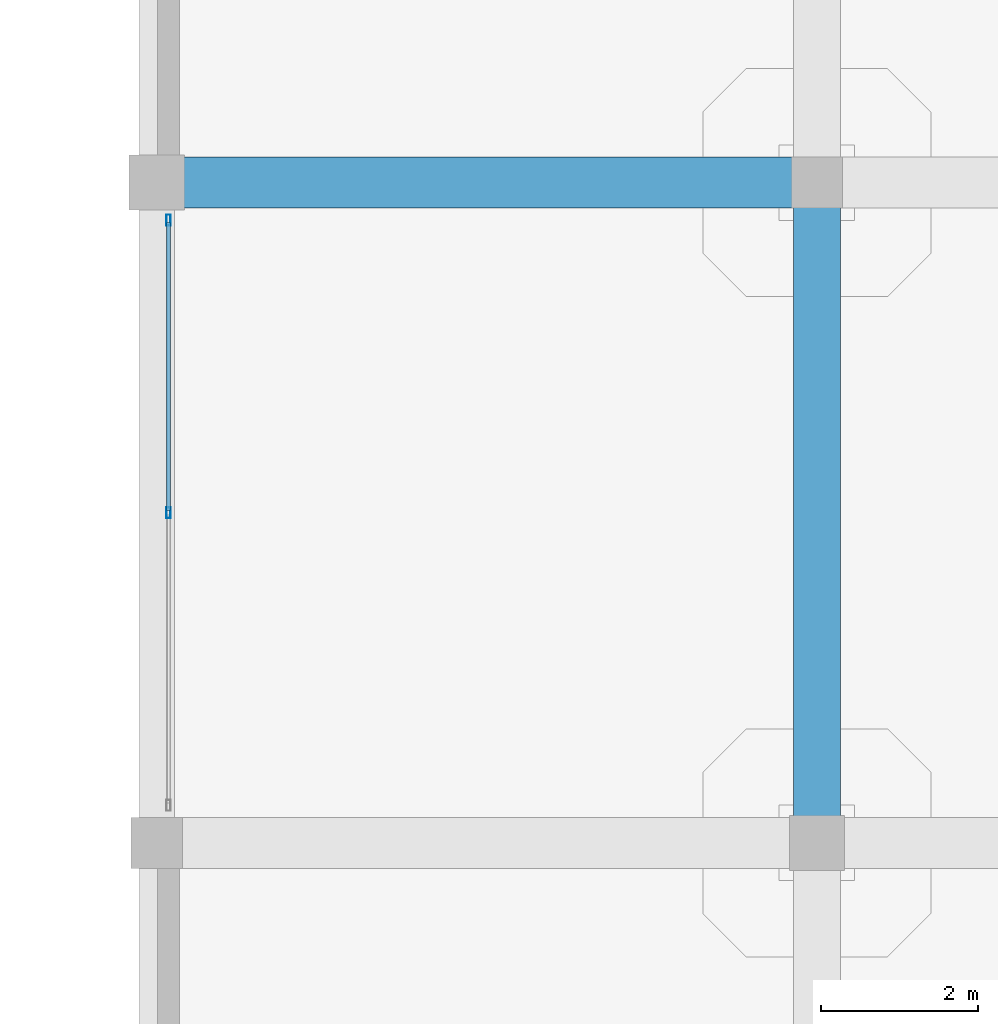
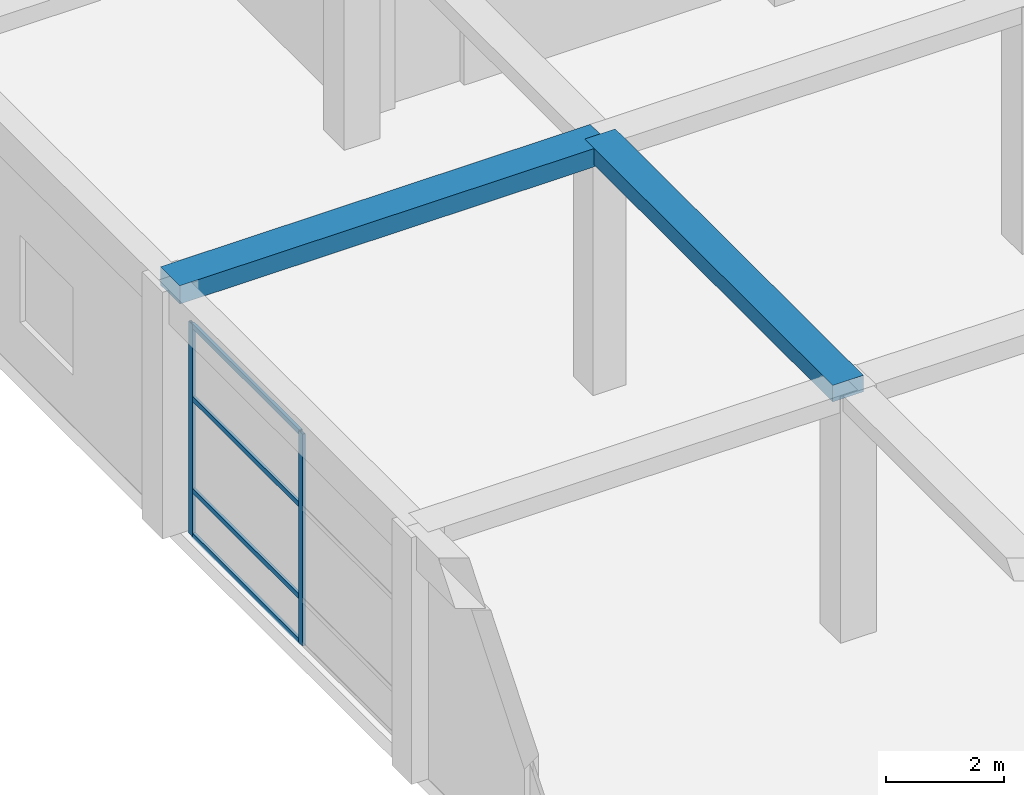
# One storey, part 8 of 65: 6 members, 2 beams, 1 element without a shape of its own.
"""IFC4 building model written with IfcOpenShell, lengths in metres."""

from ifc_helpers import new_model, si_unit, direction, frame, origin, origin_2d, place, context, subcontext, project, spatial, rectangle, hollow_rectangle, extrude, material, material_profile, profile_set, type_object, element, aggregate, save


model = new_model("IFC4")

# Units and contexts
model_context = context("Model", 3, precision=1e-05, world=origin(), true_north=direction((0.0, 1.0)))
body_context = subcontext(model_context, "Body", "Model", "MODEL_VIEW")
ifc_project = project(units=[si_unit("LENGTHUNIT", "METRE"), si_unit("AREAUNIT", "SQUARE_METRE"), si_unit("VOLUMEUNIT", "CUBIC_METRE"), si_unit("PLANEANGLEUNIT", "RADIAN"), si_unit("MASSUNIT", "GRAM", prefix="KILO")], contexts=[model_context])

# Site, building, storey
site_placement = place(None, origin())
site = spatial("IfcSite", under=ifc_project, at=site_placement, CompositionType="ELEMENT")
building_placement = place(site_placement, origin())
building = spatial("IfcBuilding", under=site, at=building_placement, Name="Almacenes y Pasaje Nevantli", CompositionType="ELEMENT")
storey_placement = place(building_placement, frame((0.0, 0.0, 16.800048828125)))
storey = spatial("IfcBuildingStorey", under=building, at=storey_placement, Name="L04", CompositionType="ELEMENT", Elevation=16.800048828125)

# Beams
ifc_material_1 = material(Name="Concrete C35/45", Category="concrete")
ifc_material_profile_1 = material_profile(ifc_material_1, rectangle(XDim=0.60009765625, YDim=0.340087890625, at=origin_2d()), Name="RC-BM-600x340")
ifc_profile_set_1 = profile_set([ifc_material_profile_1], Name="Concrete C35/45")
beam_type_1 = type_object("IfcBeamType", Name="BM-RC-600x340", PredefinedType="BEAM", material=ifc_profile_set_1)
beam_1_placement = place(storey_placement, frame((8.39990234375, 42.0, 4.929931640625), z_axis=(0.0, 1.0, 0.0), x_axis=(-1.0, 0.0, 0.0)))
element("IfcBeam", 1, at=beam_1_placement, inside=storey, type_object=beam_type_1, Name="L04 North-South Reinforced Concrete Beam #3006", PredefinedType="BEAM", context=body_context, shape_type="SweptSolid", body=[
    extrude(rectangle(XDim=0.60009765625, YDim=0.340087890625, at=origin_2d()), origin(), (0.0, 0.0, 1.0), 8.39990234375),
])
ifc_material_2 = material(Name="Concrete C35/45", Category="concrete")
ifc_material_profile_2 = material_profile(ifc_material_2, rectangle(XDim=0.64990234375, YDim=0.3798828125, at=origin_2d()), Name="RC-BM-650x380")
ifc_profile_set_2 = profile_set([ifc_material_profile_2], Name="Concrete C35/45")
beam_type_2 = type_object("IfcBeamType", Name="BM-RC-650x380", PredefinedType="BEAM", material=ifc_profile_set_2)
beam_2_placement = place(storey_placement, frame((0.0, 50.39990234375, 4.909912109375), z_axis=(1.0, 0.0, 0.0), x_axis=(0.0, 1.0, 0.0)))
element("IfcBeam", 2, at=beam_2_placement, inside=storey, type_object=beam_type_2, Name="L04 East-West Reinforced Concrete Beam #2846", PredefinedType="BEAM", context=body_context, shape_type="SweptSolid", body=[
    extrude(rectangle(XDim=0.64990234375, YDim=0.3798828125, at=origin_2d()), origin(), (0.0, 0.0, 1.0), 8.39990234375),
])

# Curtain wall, members
ifc_material_3 = material(Name="Thermally Broken Aluminium and Low-E Glass", Category="aluminium")
curtain_wall_type = type_object("IfcCurtainWallType", Name="CW-UNIT-PODIUM", PredefinedType="USERDEFINED", material=ifc_material_3)
curtain_wall_placement = place(storey_placement, origin())
curtain_wall = element("IfcCurtainWall", 3, at=curtain_wall_placement, inside=storey, type_object=curtain_wall_type, Name="L04 West Avenue Unitized Curtain Wall Bay 6", ObjectType="UNITIZED CURTAIN WALL", PredefinedType="USERDEFINED")
ifc_material_4 = material(Name="Thermally Broken Anodized Aluminium", Category="aluminium")
ifc_material_profile_3 = material_profile(ifc_material_4, hollow_rectangle(XDim=0.054931640625, YDim=0.139892578125, WallThickness=0.00341796875, at=origin_2d()), Name="ALU-MUL-55x140")
ifc_profile_set_3 = profile_set([ifc_material_profile_3], Name="Thermally Broken Anodized Aluminium")
member_type_1 = type_object("IfcMemberType", Name="CW-MUL-160", PredefinedType="MULLION", material=ifc_profile_set_3)
member_1_placement = place(storey_placement, frame((0.14990234375, 46.199951171875, 0.0), z_axis=(0.0, 0.0, 1.0), x_axis=(-1.0, 0.0, 0.0)))
member_1 = element("IfcMember", 4, at=member_1_placement, type_object=member_type_1, Name="CW-L04-074 mullion 2", PredefinedType="MULLION", context=body_context, shape_type="SweptSolid", body=[
    extrude(hollow_rectangle(XDim=0.054931640625, YDim=0.139892578125, WallThickness=0.00341796875, at=origin_2d()), origin(), (0.0, 0.0, 1.0), 4.3798828125),
])
member_2_placement = place(storey_placement, frame((0.14990234375, 49.922607421875, 0.0), z_axis=(0.0, 0.0, 1.0), x_axis=(-1.0, 0.0, 0.0)))
member_2 = element("IfcMember", 5, at=member_2_placement, type_object=member_type_1, Name="CW-L04-074 mullion 3", PredefinedType="MULLION", context=body_context, shape_type="SweptSolid", body=[
    extrude(hollow_rectangle(XDim=0.054931640625, YDim=0.139892578125, WallThickness=0.00341796875, at=origin_2d()), origin(), (0.0, 0.0, 1.0), 4.3798828125),
])
ifc_material_5 = material(Name="Thermally Broken Anodized Aluminium", Category="aluminium")
ifc_material_profile_4 = material_profile(ifc_material_5, hollow_rectangle(XDim=0.054931640625, YDim=0.10498046875, WallThickness=0.003173828125, at=origin_2d()), Name="ALU-TRN-55x105")
ifc_profile_set_4 = profile_set([ifc_material_profile_4], Name="Thermally Broken Anodized Aluminium")
member_type_2 = type_object("IfcMemberType", Name="CW-TRN-120", PredefinedType="USERDEFINED", material=ifc_profile_set_4)
member_3_placement = place(storey_placement, frame((0.14990234375, 46.2275390625, 0.02734375), z_axis=(0.0, 1.0, 0.0), x_axis=(-1.0, 0.0, 0.0)))
member_3 = element("IfcMember", 6, at=member_3_placement, type_object=member_type_2, Name="CW-L04-074 transom 2.1", ObjectType="TRANSOM", PredefinedType="USERDEFINED", context=body_context, shape_type="SweptSolid", body=[
    extrude(hollow_rectangle(XDim=0.054931640625, YDim=0.10498046875, WallThickness=0.003173828125, at=origin_2d()), origin(), (0.0, 0.0, 1.0), 3.66748046875),
])
member_4_placement = place(storey_placement, frame((0.14990234375, 46.2275390625, 0.949951171875), z_axis=(0.0, 1.0, 0.0), x_axis=(-1.0, 0.0, 0.0)))
member_4 = element("IfcMember", 7, at=member_4_placement, type_object=member_type_2, Name="CW-L04-074 transom 2.2", ObjectType="TRANSOM", PredefinedType="USERDEFINED", context=body_context, shape_type="SweptSolid", body=[
    extrude(hollow_rectangle(XDim=0.054931640625, YDim=0.10498046875, WallThickness=0.003173828125, at=origin_2d()), origin(), (0.0, 0.0, 1.0), 3.66748046875),
])
member_5_placement = place(storey_placement, frame((0.14990234375, 46.2275390625, 2.849853515625), z_axis=(0.0, 1.0, 0.0), x_axis=(-1.0, 0.0, 0.0)))
member_5 = element("IfcMember", 8, at=member_5_placement, type_object=member_type_2, Name="CW-L04-074 transom 2.3", ObjectType="TRANSOM", PredefinedType="USERDEFINED", context=body_context, shape_type="SweptSolid", body=[
    extrude(hollow_rectangle(XDim=0.054931640625, YDim=0.10498046875, WallThickness=0.003173828125, at=origin_2d()), origin(), (0.0, 0.0, 1.0), 3.66748046875),
])
member_6_placement = place(storey_placement, frame((0.14990234375, 46.2275390625, 4.3525390625), z_axis=(0.0, 1.0, 0.0), x_axis=(-1.0, 0.0, 0.0)))
member_6 = element("IfcMember", 9, at=member_6_placement, type_object=member_type_2, Name="CW-L04-074 transom 2.4", ObjectType="TRANSOM", PredefinedType="USERDEFINED", context=body_context, shape_type="SweptSolid", body=[
    extrude(hollow_rectangle(XDim=0.054931640625, YDim=0.10498046875, WallThickness=0.003173828125, at=origin_2d()), origin(), (0.0, 0.0, 1.0), 3.66748046875),
])
aggregate(curtain_wall, [member_1, member_2, member_3, member_4, member_5, member_6])

save(model, "model.ifc")
